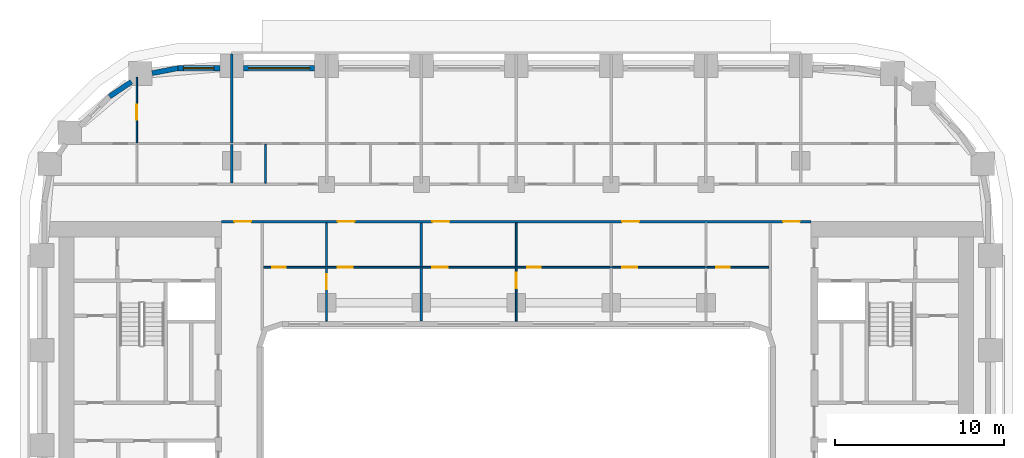
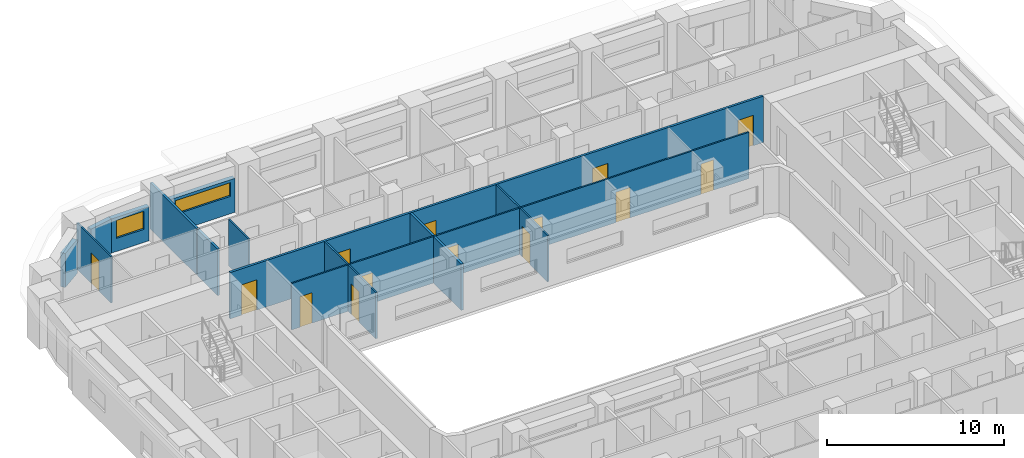
# One storey, part 8 of 22: 16 walls, 14 doors, 2 windows, 16 openings.
"""IFC4 building model written with IfcOpenShell, lengths in metres."""

import ifcopenshell
import ifcopenshell.guid

model = None  # the IFC model being written
_history = None  # IfcOwnerHistory: only IFC2X3 demands one
_inside = {}  # id of a spatial element -> (the spatial element, [elements in it])
_under = {}  # id of a project, library or spatial element -> (it, [spatial elements below it])
_declared = {}  # id of a project -> (the project, [libraries it declares])
_typed = {}  # id of a type object -> (the type object, [elements of that type])
_made_of = {}  # id of a material, layer set ... -> (it, [elements and type objects made of it])


def new_model(schema):
    """Start an empty IFC model of exactly this schema.

    Asked for "IFC4X3", IfcOpenShell would pick the latest addendum, in which some entities
    have other attributes; the version numbers below select the first issue.
    IFC2X3 requires an IfcOwnerHistory on every rooted entity: one is made here for all.
    """
    global model, _history
    if schema == "IFC4X3":
        model = ifcopenshell.file(schema_version=(4, 3, 0, 0))
    else:
        model = ifcopenshell.file(schema=schema)
    _inside.clear()
    _under.clear()
    _declared.clear()
    _typed.clear()
    _made_of.clear()
    _history = None
    if model.schema == "IFC2X3":
        org = make("IfcOrganization", Name="unknown")
        user = make(
            "IfcPersonAndOrganization",
            ThePerson=make("IfcPerson", FamilyName="unknown"),
            TheOrganization=org,
        )
        app = make(
            "IfcApplication",
            ApplicationDeveloper=org,
            Version="unknown",
            ApplicationFullName="unknown",
            ApplicationIdentifier="unknown",
        )
        _history = make(
            "IfcOwnerHistory",
            OwningUser=user,
            OwningApplication=app,
            ChangeAction="ADDED",
            CreationDate=0,
        )
    return model


def make(cls, **values):
    """One entity of the class cls with the attributes given. An attribute that is None is left unset."""
    return model.create_entity(
        cls, **{name: value for name, value in values.items() if value is not None}
    )


def rooted(cls, **values):
    """An entity with a GlobalId (a new one), such as an element, a storey or a relation."""
    return make(cls, GlobalId=ifcopenshell.guid.new(), OwnerHistory=_history, **values)


def si_unit(unit_type, name, prefix=None):
    """IfcSIUnit, for example si_unit("LENGTHUNIT", "METRE", prefix="MILLI")."""
    return make("IfcSIUnit", UnitType=unit_type, Prefix=prefix, Name=name)


def assignment(units):
    """IfcUnitAssignment: the units of a project."""
    return None if units is None else make("IfcUnitAssignment", Units=units)


def point(xyz):
    """IfcCartesianPoint."""
    return None if xyz is None else make("IfcCartesianPoint", Coordinates=xyz)


def direction(xyz):
    """IfcDirection."""
    return None if xyz is None else make("IfcDirection", DirectionRatios=xyz)


def frame(location, z_axis=None, x_axis=None):
    """IfcAxis2Placement3D, a coordinate frame: its origin and axes. An axis left out is left unset."""
    return make(
        "IfcAxis2Placement3D",
        Location=point(location),
        Axis=direction(z_axis),
        RefDirection=direction(x_axis),
    )


def frame_2d(location, x_axis=None):
    """IfcAxis2Placement2D, a coordinate frame in the plane: its origin and x axis."""
    return make(
        "IfcAxis2Placement2D", Location=point(location), RefDirection=direction(x_axis)
    )


def origin():
    """The frame at (0, 0, 0) with its axes left unset."""
    return frame((0.0, 0.0, 0.0))


def place(relative_to, where):
    """IfcLocalPlacement: puts the frame where relative to a parent placement (None: the world)."""
    return make(
        "IfcLocalPlacement", PlacementRelTo=relative_to, RelativePlacement=where
    )


def context(
    kind, dimensions, precision=None, world=None, true_north=None, identifier=None
):
    """IfcGeometricRepresentationContext, for example the 3D "Model" context."""
    return make(
        "IfcGeometricRepresentationContext",
        ContextIdentifier=identifier,
        ContextType=kind,
        CoordinateSpaceDimension=dimensions,
        Precision=precision,
        WorldCoordinateSystem=world,
        TrueNorth=true_north,
    )


def subcontext(parent, identifier, kind, view, scale=None):
    """IfcGeometricRepresentationSubContext, for example "Body" below "Model"."""
    return make(
        "IfcGeometricRepresentationSubContext",
        ContextIdentifier=identifier,
        ContextType=kind,
        ParentContext=parent,
        TargetScale=scale,
        TargetView=view,
    )


def project(units=None, contexts=None):
    """IfcProject with its units and contexts."""
    return rooted(
        "IfcProject",
        Name="project",
        RepresentationContexts=contexts,
        UnitsInContext=assignment(units),
    )


def spatial(cls, under=None, at=None, **own):
    """A site, building, storey or space (cls), placed at a placement, below another one or the project."""
    s = rooted(cls, ObjectPlacement=at, **own)
    if under is not None:
        _under.setdefault(under.id(), (under, []))[1].append(s)
    return s


def profile(cls, at=None, kind="AREA", **sizes):
    """A parametric profile (cls). Its sizes go by their IFC names, for example OverallWidth=200.0."""
    return make(cls, ProfileType=kind, Position=at, **sizes)


def rectangle(**sizes):
    """IfcRectangleProfileDef."""
    return profile("IfcRectangleProfileDef", **sizes)


def extrude(swept, where, along, depth):
    """IfcExtrudedAreaSolid: the profile swept, set in the frame where, extruded along a direction by depth."""
    return make(
        "IfcExtrudedAreaSolid",
        SweptArea=swept,
        Position=where,
        ExtrudedDirection=direction(along),
        Depth=depth,
    )


def shape(context_of_items, identifier, shape_type, items):
    """IfcShapeRepresentation: the items that make up one representation, for example the "Body"."""
    return make(
        "IfcShapeRepresentation",
        ContextOfItems=context_of_items,
        RepresentationIdentifier=identifier,
        RepresentationType=shape_type,
        Items=items,
    )


def material(Name=None, Category=None):
    """IfcMaterial."""
    return make("IfcMaterial", Name=Name, Category=Category)


def layer(
    of_material, thickness, ventilated=None, Name=None, Category=None, Priority=None
):
    """IfcMaterialLayer: one layer of a wall or slab, of a material (None: an air gap)."""
    return make(
        "IfcMaterialLayer",
        Material=of_material,
        LayerThickness=thickness,
        IsVentilated=ventilated,
        Name=Name,
        Category=Category,
        Priority=Priority,
    )


def layer_set(layers, Name=None):
    """IfcMaterialLayerSet."""
    return make("IfcMaterialLayerSet", MaterialLayers=layers, LayerSetName=Name)


def made_of(thing, what):
    """Note that an element or type object is made of a material, layer set ...; save() writes the relation."""
    if what is not None:
        _made_of.setdefault(what.id(), (what, []))[1].append(thing)
    return thing


def type_object(cls, material=None, **own):
    """A type object (cls), such as IfcWallType, which elements share."""
    return made_of(rooted(cls, **own), material)


def element(
    cls,
    number,
    at=None,
    inside=None,
    cuts=None,
    type_object=None,
    material=None,
    context=None,
    identifier="Body",
    shape_type=None,
    held_by="IfcProductDefinitionShape",
    body=None,
    shapes=None,
    **own,
):
    """One element of the class cls, such as IfcWall. Its Tag is "e" and its number.

    at: its placement. inside: the storey or other place that contains it. cuts: it is an
    opening in that element (IfcRelVoidsElement). A single representation is given by context,
    identifier, shape_type and body (its items); several are given by shapes. held_by: the class
    of the entity that holds the representations. save() writes the other relations.
    """
    e = rooted(cls, Tag="e%d" % number, ObjectPlacement=at, **own)
    if body is not None:
        shapes = [shape(context, identifier, shape_type, body)]
    if shapes is not None:
        e.Representation = make(held_by, Representations=shapes)
    if inside is not None:
        _inside.setdefault(inside.id(), (inside, []))[1].append(e)
    if cuts is not None:
        rooted(
            "IfcRelVoidsElement", RelatingBuildingElement=cuts, RelatedOpeningElement=e
        )
    if type_object is not None:
        _typed.setdefault(type_object.id(), (type_object, []))[1].append(e)
    return made_of(e, material)


def fill(opening, filler):
    """IfcRelFillsElement: the door or window that sits in an opening."""
    return rooted(
        "IfcRelFillsElement",
        RelatingOpeningElement=opening,
        RelatedBuildingElement=filler,
    )


def aggregate(whole, parts):
    """IfcRelAggregates: a whole, such as a stair, and the parts it consists of."""
    return rooted("IfcRelAggregates", RelatingObject=whole, RelatedObjects=parts)


def save(model, path):
    """Write the relations noted so far, then the file.

    IfcRelAggregates (storeys below a building ...), IfcRelContainedInSpatialStructure (elements
    in a storey), IfcRelDefinesByType, IfcRelAssociatesMaterial and IfcRelDeclares: one each for
    every whole, place, type object, material and project.
    """
    for whole, parts in _under.values():
        aggregate(whole, parts)
    for where, things in _inside.values():
        rooted(
            "IfcRelContainedInSpatialStructure",
            RelatedElements=things,
            RelatingStructure=where,
        )
    for kind, things in _typed.values():
        rooted("IfcRelDefinesByType", RelatedObjects=things, RelatingType=kind)
    for what, things in _made_of.values():
        rooted("IfcRelAssociatesMaterial", RelatedObjects=things, RelatingMaterial=what)
    for by, libraries in _declared.values():
        rooted("IfcRelDeclares", RelatingContext=by, RelatedDefinitions=libraries)
    model.write(path)


model = new_model("IFC4")

# Units and contexts
model_context = context("Model", 3, precision=1e-05, world=origin(), true_north=direction((0.0, 1.0)))
body_context = subcontext(model_context, "Body", "Model", "MODEL_VIEW")
ifc_project = project(units=[si_unit("LENGTHUNIT", "METRE"), si_unit("AREAUNIT", "SQUARE_METRE"), si_unit("VOLUMEUNIT", "CUBIC_METRE"), si_unit("PLANEANGLEUNIT", "RADIAN"), si_unit("MASSUNIT", "GRAM", prefix="KILO")], contexts=[model_context])

# Site, building, storey
site_placement = place(None, origin())
site = spatial("IfcSite", under=ifc_project, at=site_placement, CompositionType="ELEMENT")
building_placement = place(site_placement, origin())
building = spatial("IfcBuilding", under=site, at=building_placement, Name="Kiln Ring Residences", CompositionType="ELEMENT")
storey_placement = place(building_placement, frame((0.0, 0.0, 65.5)))
storey = spatial("IfcBuildingStorey", under=building, at=storey_placement, Name="L16", CompositionType="ELEMENT", Elevation=65.5)

# Wall, opening, window
ifc_material_1 = material(Name="Brick masonry, dark clay brick", Category="masonry")
ifc_layer_1 = layer(ifc_material_1, 0.300048828125)
ifc_layer_set_1 = layer_set([ifc_layer_1], Name="EW-300 BRICK WALL")
wall_type_1 = type_object("IfcWallType", Name="EW-300 BRICK WALL", PredefinedType="SOLIDWALL", material=ifc_layer_set_1)
wall_1_placement = place(storey_placement, frame((-11.89990234375, 22.25, 0.0), z_axis=(0.0, 0.0, 1.0), x_axis=(-1.0, 0.0, 0.0)))
wall_1 = element("IfcWall", 1, at=wall_1_placement, inside=storey, type_object=wall_type_1, Name="Facade wall L16 34", PredefinedType="SOLIDWALL", context=body_context, shape_type="SweptSolid", body=[
    extrude(rectangle(XDim=4.2001953125, YDim=0.300048828125, at=frame_2d((2.10009765625, 0.0))), origin(), (0.0, 0.0, 1.0), 2.35009765625),
])
opening_1_placement = place(wall_1_placement, frame((0.300048828125, 0.0, 1.199951171875)))
opening_1 = element("IfcOpeningElement", 2, at=opening_1_placement, cuts=wall_1, Name="Opening W4", PredefinedType="OPENING", context=body_context, shape_type="SweptSolid", body=[
    extrude(rectangle(XDim=3.60009765625, YDim=0.949951171875, at=frame_2d((1.800048828125, 0.47509765625))), frame((0.0, 0.159912109375, 0.0), z_axis=(0.0, -1.0, 0.0), x_axis=(1.0, 0.0, 0.0)), (0.0, 0.0, 1.0), 0.320068359375),
])
ifc_material_2 = material(Name="Aluminium frame with double glazing", Category="aluminium")
window_type_1 = type_object("IfcWindowType", Name="WINDOW 3600 x 950", PartitioningType="SINGLE_PANEL", PredefinedType="WINDOW", material=ifc_material_2)
window_1_placement = place(opening_1_placement, origin())
window_1 = element("IfcWindow", 3, at=window_1_placement, inside=storey, type_object=window_type_1, Name="Window L16 19", OverallHeight=0.949951171875, OverallWidth=3.60009765625, PartitioningType="SINGLE_PANEL", PredefinedType="WINDOW", context=body_context, shape_type="SweptSolid", body=[
    extrude(rectangle(XDim=3.60009765625, YDim=0.949951171875, at=frame_2d((1.800048828125, 0.47509765625))), frame((0.0, 0.030029296875, 0.0), z_axis=(0.0, -1.0, 0.0), x_axis=(1.0, 0.0, 0.0)), (0.0, 0.0, 1.0), 0.06005859375),
])
fill(opening_1, window_1)

wall_2_placement = place(storey_placement, frame((-17.5, 22.25, 0.0), z_axis=(0.0, 0.0, 1.0), x_axis=(-1.0, 0.0, 0.0)))
wall_2 = element("IfcWall", 4, at=wall_2_placement, inside=storey, type_object=wall_type_1, Name="Facade wall L16 35", PredefinedType="SOLIDWALL", context=body_context, shape_type="SweptSolid", body=[
    extrude(rectangle(XDim=2.5, YDim=0.300048828125, at=frame_2d((1.25, 0.0))), origin(), (0.0, 0.0, 1.0), 2.35009765625),
])
opening_2_placement = place(wall_2_placement, frame((0.35009765625, 0.0, 0.89990234375)))
opening_2 = element("IfcOpeningElement", 5, at=opening_2_placement, cuts=wall_2, Name="Opening W2", PredefinedType="OPENING", context=body_context, shape_type="SweptSolid", body=[
    extrude(rectangle(XDim=1.800048828125, YDim=1.25, at=frame_2d((0.89990234375, 0.625))), frame((0.0, 0.159912109375, 0.0), z_axis=(0.0, -1.0, 0.0), x_axis=(1.0, 0.0, 0.0)), (0.0, 0.0, 1.0), 0.320068359375),
])
ifc_material_3 = material(Name="Aluminium frame with double glazing", Category="aluminium")
window_type_2 = type_object("IfcWindowType", Name="WINDOW 1800 x 1250", PartitioningType="SINGLE_PANEL", PredefinedType="WINDOW", material=ifc_material_3)
window_2_placement = place(opening_2_placement, origin())
window_2 = element("IfcWindow", 6, at=window_2_placement, inside=storey, type_object=window_type_2, Name="Window L16 20", OverallHeight=1.25, OverallWidth=1.800048828125, PartitioningType="SINGLE_PANEL", PredefinedType="WINDOW", context=body_context, shape_type="SweptSolid", body=[
    extrude(rectangle(XDim=1.800048828125, YDim=1.25, at=frame_2d((0.89990234375, 0.625))), frame((0.0, 0.030029296875, 0.0), z_axis=(0.0, -1.0, 0.0), x_axis=(1.0, 0.0, 0.0)), (0.0, 0.0, 1.0), 0.06005859375),
])
fill(opening_2, window_2)

# Walls
wall_3_placement = place(storey_placement, frame((-19.971923828125, 22.252685546875, 0.0), z_axis=(0.0, 0.0, 1.0), x_axis=(-0.982297345734, -0.187328386968, 0.0)))
element("IfcWall", 7, at=wall_3_placement, inside=storey, type_object=wall_type_1, Name="Facade wall L16 36", PredefinedType="SOLIDWALL", context=body_context, shape_type="SweptSolid", body=[
    extrude(rectangle(XDim=1.55615234375, YDim=0.300048828125, at=frame_2d((0.778076171875, 0.0))), origin(), (0.0, 0.0, 1.0), 2.35009765625),
])
wall_4_placement = place(storey_placement, frame((-22.725830078125, 21.45361328125, 0.0), z_axis=(0.0, 0.0, 1.0), x_axis=(-0.827019875346, -0.562172683241, 0.0)))
element("IfcWall", 8, at=wall_4_placement, inside=storey, type_object=wall_type_1, Name="Facade wall L16 37", PredefinedType="SOLIDWALL", context=body_context, shape_type="SweptSolid", body=[
    extrude(rectangle(XDim=1.555908203125, YDim=0.300048828125, at=frame_2d((0.77783203125, 0.0))), origin(), (0.0, 0.0, 1.0), 2.35009765625),
])

# Wall, openings, doors
ifc_material_4 = material(Name="Gypsum board on steel studs", Category="steel")
ifc_layer_2 = layer(ifc_material_4, 0.10009765625)
ifc_layer_set_2 = layer_set([ifc_layer_2], Name="PARTITION-100")
wall_type_2 = type_object("IfcWallType", Name="PARTITION-100", PredefinedType="PARTITIONING", material=ifc_layer_set_2)
wall_5_placement = place(storey_placement, frame((-14.925048828125, 10.5, 0.0), z_axis=(0.0, 0.0, 1.0), x_axis=(1.0, 0.0, 0.0)))
wall_5 = element("IfcWall", 9, at=wall_5_placement, inside=storey, type_object=wall_type_2, Name="Partition 004", PredefinedType="PARTITIONING", context=body_context, shape_type="SweptSolid", body=[
    extrude(rectangle(XDim=29.85009765625, YDim=0.10009765625, at=frame_2d((14.925048828125, 0.0))), origin(), (0.0, 0.0, 1.0), 3.199951171875),
])
opening_3_placement = place(wall_5_placement, frame((0.52490234375, 0.0, 0.0)))
opening_3 = element("IfcOpeningElement", 10, at=opening_3_placement, cuts=wall_5, Name="Opening L16-D006", PredefinedType="OPENING", context=body_context, shape_type="SweptSolid", body=[
    extrude(rectangle(XDim=0.800048828125, YDim=2.10009765625, at=frame_2d((0.39990234375, 1.050048828125))), frame((0.0, 0.06005859375, 0.0), z_axis=(0.0, -1.0, 0.0), x_axis=(1.0, 0.0, 0.0)), (0.0, 0.0, 1.0), 0.1201171875),
])
opening_4_placement = place(wall_5_placement, frame((4.375, 0.0, 0.0)))
opening_4 = element("IfcOpeningElement", 11, at=opening_4_placement, cuts=wall_5, Name="Opening L16-D007", PredefinedType="OPENING", context=body_context, shape_type="SweptSolid", body=[
    extrude(rectangle(XDim=0.89990234375, YDim=2.10009765625, at=frame_2d((0.449951171875, 1.050048828125))), frame((0.0, 0.06005859375, 0.0), z_axis=(0.0, -1.0, 0.0), x_axis=(1.0, 0.0, 0.0)), (0.0, 0.0, 1.0), 0.1201171875),
])
opening_5_placement = place(wall_5_placement, frame((15.574951171875, 0.0, 0.0)))
opening_5 = element("IfcOpeningElement", 12, at=opening_5_placement, cuts=wall_5, Name="Opening L16-D010", PredefinedType="OPENING", context=body_context, shape_type="SweptSolid", body=[
    extrude(rectangle(XDim=0.800048828125, YDim=2.10009765625, at=frame_2d((0.39990234375, 1.050048828125))), frame((0.0, 0.06005859375, 0.0), z_axis=(0.0, -1.0, 0.0), x_axis=(1.0, 0.0, 0.0)), (0.0, 0.0, 1.0), 0.1201171875),
])
opening_6_placement = place(wall_5_placement, frame((9.97509765625, 0.0, 0.0)))
opening_6 = element("IfcOpeningElement", 13, at=opening_6_placement, cuts=wall_5, Name="Opening L16-D011", PredefinedType="OPENING", context=body_context, shape_type="SweptSolid", body=[
    extrude(rectangle(XDim=0.89990234375, YDim=2.10009765625, at=frame_2d((0.449951171875, 1.050048828125))), frame((0.0, 0.06005859375, 0.0), z_axis=(0.0, -1.0, 0.0), x_axis=(1.0, 0.0, 0.0)), (0.0, 0.0, 1.0), 0.1201171875),
])
opening_7_placement = place(wall_5_placement, frame((26.72509765625, 0.0, 0.0)))
opening_7 = element("IfcOpeningElement", 14, at=opening_7_placement, cuts=wall_5, Name="Opening L16-D014", PredefinedType="OPENING", context=body_context, shape_type="SweptSolid", body=[
    extrude(rectangle(XDim=0.800048828125, YDim=2.10009765625, at=frame_2d((0.39990234375, 1.050048828125))), frame((0.0, 0.06005859375, 0.0), z_axis=(0.0, -1.0, 0.0), x_axis=(1.0, 0.0, 0.0)), (0.0, 0.0, 1.0), 0.1201171875),
])
opening_8_placement = place(wall_5_placement, frame((21.175048828125, 0.0, 0.0)))
opening_8 = element("IfcOpeningElement", 15, at=opening_8_placement, cuts=wall_5, Name="Opening L16-D015", PredefinedType="OPENING", context=body_context, shape_type="SweptSolid", body=[
    extrude(rectangle(XDim=0.89990234375, YDim=2.10009765625, at=frame_2d((0.449951171875, 1.050048828125))), frame((0.0, 0.06005859375, 0.0), z_axis=(0.0, -1.0, 0.0), x_axis=(1.0, 0.0, 0.0)), (0.0, 0.0, 1.0), 0.1201171875),
])
ifc_material_5 = material(Name="Timber door leaf", Category="wood")
door_type_1 = type_object("IfcDoorType", Name="FLAT-DOOR-800-PL", OperationType="SINGLE_SWING_LEFT", PredefinedType="DOOR", material=ifc_material_5)
door_1_placement = place(opening_3_placement, origin())
door_1 = element("IfcDoor", 16, at=door_1_placement, inside=storey, type_object=door_type_1, Name="Door L16-D006", OperationType="SINGLE_SWING_RIGHT", OverallHeight=2.10009765625, OverallWidth=0.800048828125, PredefinedType="DOOR", context=body_context, shape_type="SweptSolid", body=[
    extrude(rectangle(XDim=0.800048828125, YDim=2.10009765625, at=frame_2d((0.39990234375, 1.050048828125))), frame((0.0, 0.02490234375, 0.0), z_axis=(0.0, -1.0, 0.0), x_axis=(1.0, 0.0, 0.0)), (0.0, 0.0, 1.0), 0.050048828125),
])
fill(opening_3, door_1)
door_2_placement = place(opening_5_placement, origin())
door_2 = element("IfcDoor", 17, at=door_2_placement, inside=storey, type_object=door_type_1, Name="Door L16-D010", OperationType="SINGLE_SWING_RIGHT", OverallHeight=2.10009765625, OverallWidth=0.800048828125, PredefinedType="DOOR", context=body_context, shape_type="SweptSolid", body=[
    extrude(rectangle(XDim=0.800048828125, YDim=2.10009765625, at=frame_2d((0.39990234375, 1.050048828125))), frame((0.0, 0.02490234375, 0.0), z_axis=(0.0, -1.0, 0.0), x_axis=(1.0, 0.0, 0.0)), (0.0, 0.0, 1.0), 0.050048828125),
])
fill(opening_5, door_2)
door_3_placement = place(opening_7_placement, origin())
door_3 = element("IfcDoor", 18, at=door_3_placement, inside=storey, type_object=door_type_1, Name="Door L16-D014", OperationType="SINGLE_SWING_RIGHT", OverallHeight=2.10009765625, OverallWidth=0.800048828125, PredefinedType="DOOR", context=body_context, shape_type="SweptSolid", body=[
    extrude(rectangle(XDim=0.800048828125, YDim=2.10009765625, at=frame_2d((0.39990234375, 1.050048828125))), frame((0.0, 0.02490234375, 0.0), z_axis=(0.0, -1.0, 0.0), x_axis=(1.0, 0.0, 0.0)), (0.0, 0.0, 1.0), 0.050048828125),
])
fill(opening_7, door_3)
ifc_material_6 = material(Name="Timber door leaf", Category="wood")
door_type_2 = type_object("IfcDoorType", Name="FLAT-DOOR-900-PL", OperationType="SINGLE_SWING_LEFT", PredefinedType="DOOR", material=ifc_material_6)
door_4_placement = place(opening_4_placement, origin())
door_4 = element("IfcDoor", 19, at=door_4_placement, inside=storey, type_object=door_type_2, Name="Door L16-D007", OperationType="SINGLE_SWING_LEFT", OverallHeight=2.10009765625, OverallWidth=0.89990234375, PredefinedType="DOOR", context=body_context, shape_type="SweptSolid", body=[
    extrude(rectangle(XDim=0.89990234375, YDim=2.10009765625, at=frame_2d((0.449951171875, 1.050048828125))), frame((0.0, 0.02490234375, 0.0), z_axis=(0.0, -1.0, 0.0), x_axis=(1.0, 0.0, 0.0)), (0.0, 0.0, 1.0), 0.050048828125),
])
fill(opening_4, door_4)
door_5_placement = place(opening_6_placement, origin())
door_5 = element("IfcDoor", 20, at=door_5_placement, inside=storey, type_object=door_type_2, Name="Door L16-D011", OperationType="SINGLE_SWING_LEFT", OverallHeight=2.10009765625, OverallWidth=0.89990234375, PredefinedType="DOOR", context=body_context, shape_type="SweptSolid", body=[
    extrude(rectangle(XDim=0.89990234375, YDim=2.10009765625, at=frame_2d((0.449951171875, 1.050048828125))), frame((0.0, 0.02490234375, 0.0), z_axis=(0.0, -1.0, 0.0), x_axis=(1.0, 0.0, 0.0)), (0.0, 0.0, 1.0), 0.050048828125),
])
fill(opening_6, door_5)
door_6_placement = place(opening_8_placement, origin())
door_6 = element("IfcDoor", 21, at=door_6_placement, inside=storey, type_object=door_type_2, Name="Door L16-D015", OperationType="SINGLE_SWING_LEFT", OverallHeight=2.10009765625, OverallWidth=0.89990234375, PredefinedType="DOOR", context=body_context, shape_type="SweptSolid", body=[
    extrude(rectangle(XDim=0.89990234375, YDim=2.10009765625, at=frame_2d((0.449951171875, 1.050048828125))), frame((0.0, 0.02490234375, 0.0), z_axis=(0.0, -1.0, 0.0), x_axis=(1.0, 0.0, 0.0)), (0.0, 0.0, 1.0), 0.050048828125),
])
fill(opening_8, door_6)

# Wall, opening, door
wall_6_placement = place(storey_placement, frame((-22.39990234375, 17.85009765625, 0.0), z_axis=(0.0, 0.0, 1.0), x_axis=(0.0, 1.0, 0.0)))
wall_6 = element("IfcWall", 22, at=wall_6_placement, inside=storey, type_object=wall_type_2, Name="Partition 011", PredefinedType="PARTITIONING", context=body_context, shape_type="SweptSolid", body=[
    extrude(rectangle(XDim=3.869873046875, YDim=0.10009765625, at=frame_2d((1.93505859375, 0.0))), origin(), (0.0, 0.0, 1.0), 3.199951171875),
])
opening_9_placement = place(wall_6_placement, frame((1.347900390625, 0.0, 0.0)))
opening_9 = element("IfcOpeningElement", 23, at=opening_9_placement, cuts=wall_6, Name="Opening L16-D020", PredefinedType="OPENING", context=body_context, shape_type="SweptSolid", body=[
    extrude(rectangle(XDim=0.89990234375, YDim=2.10009765625, at=frame_2d((0.449951171875, 1.050048828125))), frame((0.0, 0.06005859375, 0.0), z_axis=(0.0, -1.0, 0.0), x_axis=(1.0, 0.0, 0.0)), (0.0, 0.0, 1.0), 0.1201171875),
])
door_7_placement = place(opening_9_placement, origin())
door_7 = element("IfcDoor", 24, at=door_7_placement, inside=storey, type_object=door_type_2, Name="Door L16-D020", OperationType="SINGLE_SWING_RIGHT", OverallHeight=2.10009765625, OverallWidth=0.89990234375, PredefinedType="DOOR", context=body_context, shape_type="SweptSolid", body=[
    extrude(rectangle(XDim=0.89990234375, YDim=2.10009765625, at=frame_2d((0.449951171875, 1.050048828125))), frame((0.0, 0.02490234375, 0.0), z_axis=(0.0, -1.0, 0.0), x_axis=(1.0, 0.0, 0.0)), (0.0, 0.0, 1.0), 0.050048828125),
])
fill(opening_9, door_7)

# Wall
wall_7_placement = place(storey_placement, frame((-14.800048828125, 15.47509765625, 0.0), z_axis=(0.0, 0.0, 1.0), x_axis=(0.0, 1.0, 0.0)))
element("IfcWall", 25, at=wall_7_placement, inside=storey, type_object=wall_type_2, Name="Partition 018", PredefinedType="PARTITIONING", context=body_context, shape_type="SweptSolid", body=[
    extrude(rectangle(XDim=2.27490234375, YDim=0.10009765625, at=frame_2d((1.137451171875, 0.0))), origin(), (0.0, 0.0, 1.0), 3.199951171875),
])

# Wall, opening, door
wall_8_placement = place(storey_placement, frame((-11.199951171875, 7.320068359375, 0.0), z_axis=(0.0, 0.0, 1.0), x_axis=(0.0, 1.0, 0.0)))
wall_8 = element("IfcWall", 26, at=wall_8_placement, inside=storey, type_object=wall_type_2, Name="Partition 022", PredefinedType="PARTITIONING", context=body_context, shape_type="SweptSolid", body=[
    extrude(rectangle(XDim=3.1298828125, YDim=0.10009765625, at=frame_2d((1.56494140625, 0.0))), origin(), (0.0, 0.0, 1.0), 3.199951171875),
])
opening_10_placement = place(wall_8_placement, frame((1.8798828125, 0.0, 0.0)))
opening_10 = element("IfcOpeningElement", 27, at=opening_10_placement, cuts=wall_8, Name="Opening L16-D008", PredefinedType="OPENING", context=body_context, shape_type="SweptSolid", body=[
    extrude(rectangle(XDim=0.89990234375, YDim=2.10009765625, at=frame_2d((0.449951171875, 1.050048828125))), frame((0.0, 0.06005859375, 0.0), z_axis=(0.0, -1.0, 0.0), x_axis=(1.0, 0.0, 0.0)), (0.0, 0.0, 1.0), 0.1201171875),
])
door_8_placement = place(opening_10_placement, origin())
door_8 = element("IfcDoor", 28, at=door_8_placement, inside=storey, type_object=door_type_2, Name="Door L16-D008", OperationType="SINGLE_SWING_LEFT", OverallHeight=2.10009765625, OverallWidth=0.89990234375, PredefinedType="DOOR", context=body_context, shape_type="SweptSolid", body=[
    extrude(rectangle(XDim=0.89990234375, YDim=2.10009765625, at=frame_2d((0.449951171875, 1.050048828125))), frame((0.0, 0.02490234375, 0.0), z_axis=(0.0, -1.0, 0.0), x_axis=(1.0, 0.0, 0.0)), (0.0, 0.0, 1.0), 0.050048828125),
])
fill(opening_10, door_8)

# Wall
wall_9_placement = place(storey_placement, frame((-11.199951171875, 10.550048828125, 0.0), z_axis=(0.0, 0.0, 1.0), x_axis=(0.0, 1.0, 0.0)))
element("IfcWall", 29, at=wall_9_placement, inside=storey, type_object=wall_type_2, Name="Partition 023", PredefinedType="PARTITIONING", context=body_context, shape_type="SweptSolid", body=[
    extrude(rectangle(XDim=2.574951171875, YDim=0.10009765625, at=frame_2d((1.28759765625, 0.0))), origin(), (0.0, 0.0, 1.0), 3.199951171875),
])

# Wall, opening, door
wall_10_placement = place(storey_placement, frame((0.0, 7.320068359375, 0.0), z_axis=(0.0, 0.0, 1.0), x_axis=(0.0, 1.0, 0.0)))
wall_10 = element("IfcWall", 30, at=wall_10_placement, inside=storey, type_object=wall_type_2, Name="Partition 041", PredefinedType="PARTITIONING", context=body_context, shape_type="SweptSolid", body=[
    extrude(rectangle(XDim=3.1298828125, YDim=0.10009765625, at=frame_2d((1.56494140625, 0.0))), origin(), (0.0, 0.0, 1.0), 3.199951171875),
])
opening_11_placement = place(wall_10_placement, frame((1.949951171875, 0.0, 0.0)))
opening_11 = element("IfcOpeningElement", 31, at=opening_11_placement, cuts=wall_10, Name="Opening L16-D012", PredefinedType="OPENING", context=body_context, shape_type="SweptSolid", body=[
    extrude(rectangle(XDim=0.89990234375, YDim=2.10009765625, at=frame_2d((0.449951171875, 1.050048828125))), frame((0.0, 0.06005859375, 0.0), z_axis=(0.0, -1.0, 0.0), x_axis=(1.0, 0.0, 0.0)), (0.0, 0.0, 1.0), 0.1201171875),
])
door_9_placement = place(opening_11_placement, origin())
door_9 = element("IfcDoor", 32, at=door_9_placement, inside=storey, type_object=door_type_2, Name="Door L16-D012", OperationType="SINGLE_SWING_RIGHT", OverallHeight=2.10009765625, OverallWidth=0.89990234375, PredefinedType="DOOR", context=body_context, shape_type="SweptSolid", body=[
    extrude(rectangle(XDim=0.89990234375, YDim=2.10009765625, at=frame_2d((0.449951171875, 1.050048828125))), frame((0.0, 0.02490234375, 0.0), z_axis=(0.0, -1.0, 0.0), x_axis=(1.0, 0.0, 0.0)), (0.0, 0.0, 1.0), 0.050048828125),
])
fill(opening_11, door_9)

# Wall
wall_11_placement = place(storey_placement, frame((0.0, 10.550048828125, 0.0), z_axis=(0.0, 0.0, 1.0), x_axis=(0.0, 1.0, 0.0)))
element("IfcWall", 33, at=wall_11_placement, inside=storey, type_object=wall_type_2, Name="Partition 042", PredefinedType="PARTITIONING", context=body_context, shape_type="SweptSolid", body=[
    extrude(rectangle(XDim=2.574951171875, YDim=0.10009765625, at=frame_2d((1.28759765625, 0.0))), origin(), (0.0, 0.0, 1.0), 3.199951171875),
])

# Wall, openings, doors
ifc_material_7 = material(Name="Brick masonry partition", Category="masonry")
ifc_layer_3 = layer(ifc_material_7, 0.14990234375)
ifc_layer_set_3 = layer_set([ifc_layer_3], Name="PARTITION-150-ei60")
wall_type_3 = type_object("IfcWallType", Name="PARTITION-150-ei60", PredefinedType="PARTITIONING", material=ifc_layer_set_3)
wall_12_placement = place(storey_placement, frame((-17.39990234375, 13.199951171875, 0.0), z_axis=(0.0, 0.0, 1.0), x_axis=(1.0, 0.0, 0.0)))
wall_12 = element("IfcWall", 34, at=wall_12_placement, inside=storey, type_object=wall_type_3, Name="Partition 005", PredefinedType="PARTITIONING", context=body_context, shape_type="SweptSolid", body=[
    extrude(rectangle(XDim=34.7998046875, YDim=0.14990234375, at=frame_2d((17.39990234375, 0.0))), origin(), (0.0, 0.0, 1.0), 3.199951171875),
])
opening_12_placement = place(wall_12_placement, frame((0.75, 0.0, 0.0)))
opening_12 = element("IfcOpeningElement", 35, at=opening_12_placement, cuts=wall_12, Name="Opening L16-D001", PredefinedType="OPENING", context=body_context, shape_type="SweptSolid", body=[
    extrude(rectangle(XDim=1.0, YDim=2.10009765625, at=frame_2d((0.5, 1.050048828125))), frame((0.0, 0.0849609375, 0.0), z_axis=(0.0, -1.0, 0.0), x_axis=(1.0, 0.0, 0.0)), (0.0, 0.0, 1.0), 0.169921875),
])
opening_13_placement = place(wall_12_placement, frame((33.14990234375, 0.0, 0.0)))
opening_13 = element("IfcOpeningElement", 36, at=opening_13_placement, cuts=wall_12, Name="Opening L16-D002", PredefinedType="OPENING", context=body_context, shape_type="SweptSolid", body=[
    extrude(rectangle(XDim=1.0, YDim=2.10009765625, at=frame_2d((0.5, 1.050048828125))), frame((0.0, 0.0849609375, 0.0), z_axis=(0.0, -1.0, 0.0), x_axis=(1.0, 0.0, 0.0)), (0.0, 0.0, 1.0), 0.169921875),
])
opening_14_placement = place(wall_12_placement, frame((6.85009765625, 0.0, 0.0)))
opening_14 = element("IfcOpeningElement", 37, at=opening_14_placement, cuts=wall_12, Name="Opening L16-D005", PredefinedType="OPENING", context=body_context, shape_type="SweptSolid", body=[
    extrude(rectangle(XDim=1.0, YDim=2.10009765625, at=frame_2d((0.5, 1.050048828125))), frame((0.0, 0.0849609375, 0.0), z_axis=(0.0, -1.0, 0.0), x_axis=(1.0, 0.0, 0.0)), (0.0, 0.0, 1.0), 0.169921875),
])
opening_15_placement = place(wall_12_placement, frame((12.449951171875, 0.0, 0.0)))
opening_15 = element("IfcOpeningElement", 38, at=opening_15_placement, cuts=wall_12, Name="Opening L16-D009", PredefinedType="OPENING", context=body_context, shape_type="SweptSolid", body=[
    extrude(rectangle(XDim=1.0, YDim=2.10009765625, at=frame_2d((0.5, 1.050048828125))), frame((0.0, 0.0849609375, 0.0), z_axis=(0.0, -1.0, 0.0), x_axis=(1.0, 0.0, 0.0)), (0.0, 0.0, 1.0), 0.169921875),
])
opening_16_placement = place(wall_12_placement, frame((23.64990234375, 0.0, 0.0)))
opening_16 = element("IfcOpeningElement", 39, at=opening_16_placement, cuts=wall_12, Name="Opening L16-D013", PredefinedType="OPENING", context=body_context, shape_type="SweptSolid", body=[
    extrude(rectangle(XDim=1.0, YDim=2.10009765625, at=frame_2d((0.5, 1.050048828125))), frame((0.0, 0.0849609375, 0.0), z_axis=(0.0, -1.0, 0.0), x_axis=(1.0, 0.0, 0.0)), (0.0, 0.0, 1.0), 0.169921875),
])
ifc_material_8 = material(Name="Steel faced fire door leaf", Category="steel")
door_type_3 = type_object("IfcDoorType", Name="FLAT-DOOR-1000-FR", OperationType="SINGLE_SWING_LEFT", PredefinedType="DOOR", material=ifc_material_8)
door_10_placement = place(opening_12_placement, origin())
door_10 = element("IfcDoor", 40, at=door_10_placement, inside=storey, type_object=door_type_3, Name="Door L16-D001", OperationType="SINGLE_SWING_RIGHT", OverallHeight=2.10009765625, OverallWidth=1.0, PredefinedType="DOOR", context=body_context, shape_type="SweptSolid", body=[
    extrude(rectangle(XDim=1.0, YDim=2.10009765625, at=frame_2d((0.5, 1.050048828125))), frame((0.0, 0.02490234375, 0.0), z_axis=(0.0, -1.0, 0.0), x_axis=(1.0, 0.0, 0.0)), (0.0, 0.0, 1.0), 0.050048828125),
])
fill(opening_12, door_10)
door_11_placement = place(opening_13_placement, origin())
door_11 = element("IfcDoor", 41, at=door_11_placement, inside=storey, type_object=door_type_3, Name="Door L16-D002", OperationType="SINGLE_SWING_LEFT", OverallHeight=2.10009765625, OverallWidth=1.0, PredefinedType="DOOR", context=body_context, shape_type="SweptSolid", body=[
    extrude(rectangle(XDim=1.0, YDim=2.10009765625, at=frame_2d((0.5, 1.050048828125))), frame((0.0, 0.02490234375, 0.0), z_axis=(0.0, -1.0, 0.0), x_axis=(1.0, 0.0, 0.0)), (0.0, 0.0, 1.0), 0.050048828125),
])
fill(opening_13, door_11)
door_12_placement = place(opening_14_placement, origin())
door_12 = element("IfcDoor", 42, at=door_12_placement, inside=storey, type_object=door_type_3, Name="Door L16-D005", OperationType="SINGLE_SWING_LEFT", OverallHeight=2.10009765625, OverallWidth=1.0, PredefinedType="DOOR", context=body_context, shape_type="SweptSolid", body=[
    extrude(rectangle(XDim=1.0, YDim=2.10009765625, at=frame_2d((0.5, 1.050048828125))), frame((0.0, 0.02490234375, 0.0), z_axis=(0.0, -1.0, 0.0), x_axis=(1.0, 0.0, 0.0)), (0.0, 0.0, 1.0), 0.050048828125),
])
fill(opening_14, door_12)
door_13_placement = place(opening_15_placement, origin())
door_13 = element("IfcDoor", 43, at=door_13_placement, inside=storey, type_object=door_type_3, Name="Door L16-D009", OperationType="SINGLE_SWING_LEFT", OverallHeight=2.10009765625, OverallWidth=1.0, PredefinedType="DOOR", context=body_context, shape_type="SweptSolid", body=[
    extrude(rectangle(XDim=1.0, YDim=2.10009765625, at=frame_2d((0.5, 1.050048828125))), frame((0.0, 0.02490234375, 0.0), z_axis=(0.0, -1.0, 0.0), x_axis=(1.0, 0.0, 0.0)), (0.0, 0.0, 1.0), 0.050048828125),
])
fill(opening_15, door_13)
door_14_placement = place(opening_16_placement, origin())
door_14 = element("IfcDoor", 44, at=door_14_placement, inside=storey, type_object=door_type_3, Name="Door L16-D013", OperationType="SINGLE_SWING_LEFT", OverallHeight=2.10009765625, OverallWidth=1.0, PredefinedType="DOOR", context=body_context, shape_type="SweptSolid", body=[
    extrude(rectangle(XDim=1.0, YDim=2.10009765625, at=frame_2d((0.5, 1.050048828125))), frame((0.0, 0.02490234375, 0.0), z_axis=(0.0, -1.0, 0.0), x_axis=(1.0, 0.0, 0.0)), (0.0, 0.0, 1.0), 0.050048828125),
])
fill(opening_16, door_14)

# Walls
wall_13_placement = place(storey_placement, frame((-16.800048828125, 15.47509765625, 0.0), z_axis=(0.0, 0.0, 1.0), x_axis=(0.0, 1.0, 0.0)))
element("IfcWall", 45, at=wall_13_placement, inside=storey, type_object=wall_type_3, Name="Partition 014", PredefinedType="PARTITIONING", context=body_context, shape_type="SweptSolid", body=[
    extrude(rectangle(XDim=2.27490234375, YDim=0.14990234375, at=frame_2d((1.137451171875, 0.0))), origin(), (0.0, 0.0, 1.0), 3.199951171875),
])
wall_14_placement = place(storey_placement, frame((-16.800048828125, 17.85009765625, 0.0), z_axis=(0.0, 0.0, 1.0), x_axis=(0.0, 1.0, 0.0)))
element("IfcWall", 46, at=wall_14_placement, inside=storey, type_object=wall_type_3, Name="Partition 015", PredefinedType="PARTITIONING", context=body_context, shape_type="SweptSolid", body=[
    extrude(rectangle(XDim=5.22998046875, YDim=0.14990234375, at=frame_2d((2.614990234375, 0.0))), origin(), (0.0, 0.0, 1.0), 3.199951171875),
])
wall_15_placement = place(storey_placement, frame((-5.60009765625, 7.320068359375, 0.0), z_axis=(0.0, 0.0, 1.0), x_axis=(0.0, 1.0, 0.0)))
element("IfcWall", 47, at=wall_15_placement, inside=storey, type_object=wall_type_3, Name="Partition 034", PredefinedType="PARTITIONING", context=body_context, shape_type="SweptSolid", body=[
    extrude(rectangle(XDim=3.1298828125, YDim=0.14990234375, at=frame_2d((1.56494140625, 0.0))), origin(), (0.0, 0.0, 1.0), 3.199951171875),
])
wall_16_placement = place(storey_placement, frame((-5.60009765625, 10.550048828125, 0.0), z_axis=(0.0, 0.0, 1.0), x_axis=(0.0, 1.0, 0.0)))
element("IfcWall", 48, at=wall_16_placement, inside=storey, type_object=wall_type_3, Name="Partition 035", PredefinedType="PARTITIONING", context=body_context, shape_type="SweptSolid", body=[
    extrude(rectangle(XDim=2.574951171875, YDim=0.14990234375, at=frame_2d((1.28759765625, 0.0))), origin(), (0.0, 0.0, 1.0), 3.199951171875),
])

save(model, "model.ifc")
